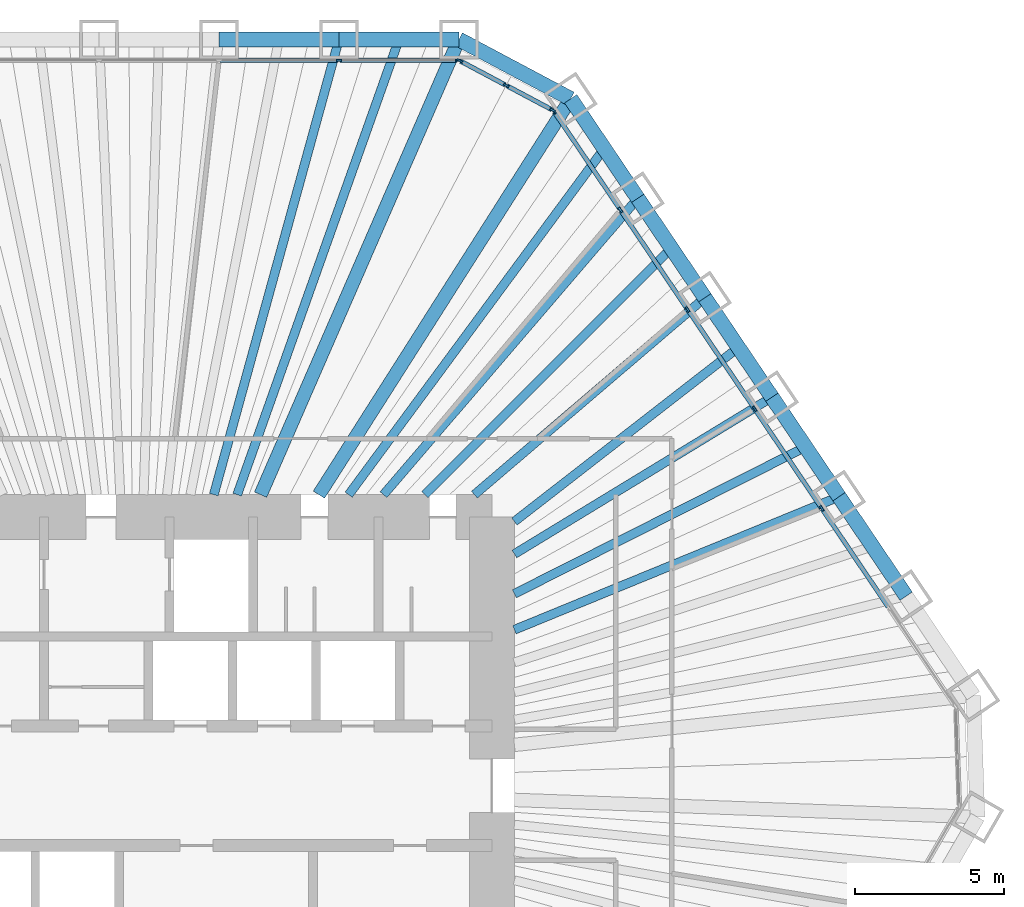
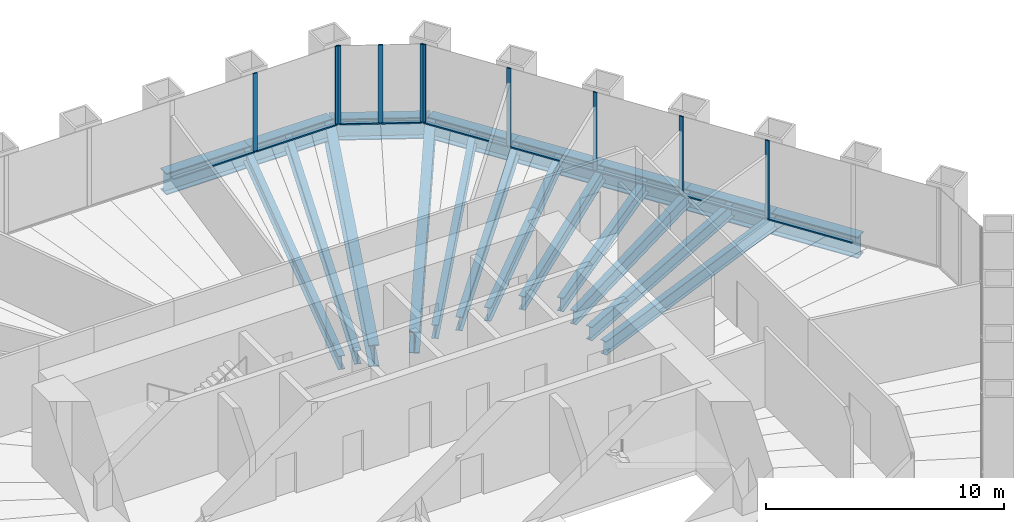
# One storey, part 7 of 13: 20 beams, 19 members, 3 elements without a shape of their own.
"""IFC4 building model written with IfcOpenShell, lengths in metres."""

from ifc_helpers import new_model, si_unit, direction, frame, origin, origin_2d, place, context, subcontext, project, spatial, rectangle, i_section, extrude, material, material_profile, profile_set, type_object, element, aggregate, save


model = new_model("IFC4")

# Units and contexts
model_context = context("Model", 3, precision=1e-05, world=origin(), true_north=direction((0.0, 1.0)))
body_context = subcontext(model_context, "Body", "Model", "MODEL_VIEW")
ifc_project = project(units=[si_unit("LENGTHUNIT", "METRE"), si_unit("AREAUNIT", "SQUARE_METRE"), si_unit("VOLUMEUNIT", "CUBIC_METRE"), si_unit("PLANEANGLEUNIT", "RADIAN"), si_unit("MASSUNIT", "GRAM", prefix="KILO")], contexts=[model_context])

# Site, building, storey
site_placement = place(None, origin())
site = spatial("IfcSite", under=ifc_project, at=site_placement, CompositionType="ELEMENT")
building_placement = place(site_placement, origin())
building = spatial("IfcBuilding", under=site, at=building_placement, Name="Qingtian Harvest Tower", CompositionType="ELEMENT")
storey_placement = place(building_placement, frame((0.0, 0.0, 149.199951171875)))
storey = spatial("IfcBuildingStorey", under=building, at=storey_placement, Name="L31", CompositionType="ELEMENT", Elevation=149.199951171875)

# Beams
ifc_material_1 = material(Name="Steel SM570MC", Category="steel")
ifc_material_profile_1 = material_profile(ifc_material_1, i_section(OverallWidth=0.449951171875, OverallDepth=1.10009765625, WebThickness=0.02197265625, FlangeThickness=0.044921875, at=origin_2d()), Name="H1100x450x22x45")
ifc_profile_set_1 = profile_set([ifc_material_profile_1], Name="Steel SM570MC")
beam_type_1 = type_object("IfcBeamType", Name="Corner floor beam FB8 H1100x450x22x45", PredefinedType="BEAM", material=ifc_profile_set_1)
beam_1_placement = place(storey_placement, frame((10.892822265625, 25.0, -0.719970703125), z_axis=(-0.399451016538, -0.916754539333, 0.0), x_axis=(0.916754539333, -0.399451016538, 0.0)))
element("IfcBeam", 1, at=beam_1_placement, inside=storey, type_object=beam_type_1, Name="Floor beam FB8 N6", PredefinedType="BEAM", context=body_context, shape_type="SweptSolid", body=[
    extrude(i_section(OverallWidth=0.449951171875, OverallDepth=1.10009765625, WebThickness=0.02197265625, FlangeThickness=0.044921875, at=origin_2d()), origin(), (0.0, 0.0, 1.0), 16.634765625),
])
beam_2_placement = place(storey_placement, frame((14.634765625, 23.01025390625, -0.719970703125), z_axis=(-0.536660352939, -0.843798355997, 0.0), x_axis=(0.843798355997, -0.536660352939, 0.0)))
element("IfcBeam", 2, at=beam_2_placement, inside=storey, type_object=beam_type_1, Name="Floor beam FB8 NE0", PredefinedType="BEAM", context=body_context, shape_type="SweptSolid", body=[
    extrude(i_section(OverallWidth=0.449951171875, OverallDepth=1.10009765625, WebThickness=0.02197265625, FlangeThickness=0.044921875, at=origin_2d()), origin(), (0.0, 0.0, 1.0), 15.71484375),
])
ifc_material_2 = material(Name="Steel SN490B", Category="steel")
ifc_material_profile_2 = material_profile(ifc_material_2, i_section(OverallWidth=0.300048828125, OverallDepth=0.699951171875, WebThickness=0.012939453125, FlangeThickness=0.02392578125, at=origin_2d()), Name="H700x300x13x24")
ifc_profile_set_2 = profile_set([ifc_material_profile_2], Name="Steel SN490B")
beam_type_2 = type_object("IfcBeamType", Name="Floor beam FB2 H700x300x13x24", PredefinedType="BEAM", material=ifc_profile_set_2)
beam_3_placement = place(storey_placement, frame((6.873779296875, 25.0, -0.52001953125), z_axis=(-0.265119170108, -0.964215653078, 0.0), x_axis=(0.964215653078, -0.265119170108, 0.0)))
element("IfcBeam", 3, at=beam_3_placement, inside=storey, type_object=beam_type_2, Name="Floor beam FB2 N5", PredefinedType="BEAM", context=body_context, shape_type="SweptSolid", body=[
    extrude(i_section(OverallWidth=0.300048828125, OverallDepth=0.699951171875, WebThickness=0.012939453125, FlangeThickness=0.02392578125, at=origin_2d()), origin(), (0.0, 0.0, 1.0), 15.81591796875),
])
beam_4_placement = place(storey_placement, frame((16.88232421875, 19.67822265625, -0.52001953125), z_axis=(-0.651140196702, -0.758957471957, 0.0), x_axis=(0.758957471957, -0.651140196702, 0.0)))
element("IfcBeam", 4, at=beam_4_placement, inside=storey, type_object=beam_type_2, Name="Floor beam FB2 NE1", PredefinedType="BEAM", context=body_context, shape_type="SweptSolid", body=[
    extrude(i_section(OverallWidth=0.300048828125, OverallDepth=0.699951171875, WebThickness=0.012939453125, FlangeThickness=0.02392578125, at=origin_2d()), origin(), (0.0, 0.0, 1.0), 13.081298828125),
])
beam_5_placement = place(storey_placement, frame((19.129638671875, 16.346435546875, -0.52001953125), z_axis=(-0.760241810635, -0.649640199928, 0.0), x_axis=(0.649640199928, -0.760241810635, 0.0)))
element("IfcBeam", 5, at=beam_5_placement, inside=storey, type_object=beam_type_2, Name="Floor beam FB2 NE2", PredefinedType="BEAM", context=body_context, shape_type="SweptSolid", body=[
    extrude(i_section(OverallWidth=0.300048828125, OverallDepth=0.699951171875, WebThickness=0.012939453125, FlangeThickness=0.02392578125, at=origin_2d()), origin(), (0.0, 0.0, 1.0), 10.154052734375),
])
beam_6_placement = place(storey_placement, frame((21.377197265625, 13.014404296875, -0.52001953125), z_axis=(-0.854160745245, -0.520009058846, 0.0), x_axis=(0.520009058846, -0.854160745245, 0.0)))
element("IfcBeam", 6, at=beam_6_placement, inside=storey, type_object=beam_type_2, Name="Floor beam FB2 NE3", PredefinedType="BEAM", context=body_context, shape_type="SweptSolid", body=[
    extrude(i_section(OverallWidth=0.300048828125, OverallDepth=0.699951171875, WebThickness=0.012939453125, FlangeThickness=0.02392578125, at=origin_2d()), origin(), (0.0, 0.0, 1.0), 10.10009765625),
])
beam_7_placement = place(storey_placement, frame((23.62451171875, 9.682373046875, -0.52001953125), z_axis=(-0.925304541163, -0.379224875375, 0.0), x_axis=(0.379224875375, -0.925304541163, 0.0)))
element("IfcBeam", 7, at=beam_7_placement, inside=storey, type_object=beam_type_2, Name="Floor beam FB2 NE4", PredefinedType="BEAM", context=body_context, shape_type="SweptSolid", body=[
    extrude(i_section(OverallWidth=0.300048828125, OverallDepth=0.699951171875, WebThickness=0.012939453125, FlangeThickness=0.02392578125, at=origin_2d()), origin(), (0.0, 0.0, 1.0), 11.75244140625),
])
ifc_material_3 = material(Name="Steel SN490B", Category="steel")
ifc_material_profile_3 = material_profile(ifc_material_3, i_section(OverallWidth=0.300048828125, OverallDepth=0.699951171875, WebThickness=0.012939453125, FlangeThickness=0.02392578125, at=origin_2d()), Name="H700x300x13x24")
ifc_profile_set_3 = profile_set([ifc_material_profile_3], Name="Steel SN490B")
beam_type_3 = type_object("IfcBeamType", Name="Floor joist J2 H700x300x13x24", PredefinedType="JOIST", material=ifc_profile_set_3)
beam_8_placement = place(storey_placement, frame((8.88330078125, 25.0, -0.52001953125), z_axis=(-0.334829909573, -0.94227858495, 0.0), x_axis=(0.94227858495, -0.334829909573, 0.0)))
element("IfcBeam", 8, at=beam_8_placement, inside=storey, type_object=beam_type_3, Name="Floor joist J2 N5", PredefinedType="JOIST", context=body_context, shape_type="SweptSolid", body=[
    extrude(i_section(OverallWidth=0.300048828125, OverallDepth=0.699951171875, WebThickness=0.012939453125, FlangeThickness=0.02392578125, at=origin_2d()), origin(), (0.0, 0.0, 1.0), 16.18408203125),
])
beam_9_placement = place(storey_placement, frame((15.758544921875, 21.34423828125, -0.52001953125), z_axis=(-0.593960386058, -0.804494288229, 0.0), x_axis=(0.804494288229, -0.593960386058, 0.0)))
element("IfcBeam", 9, at=beam_9_placement, inside=storey, type_object=beam_type_3, Name="Floor joist J2 NE0", PredefinedType="JOIST", context=body_context, shape_type="SweptSolid", body=[
    extrude(i_section(OverallWidth=0.300048828125, OverallDepth=0.699951171875, WebThickness=0.012939453125, FlangeThickness=0.02392578125, at=origin_2d()), origin(), (0.0, 0.0, 1.0), 14.411865234375),
])
beam_10_placement = place(storey_placement, frame((18.005859375, 18.012451171875, -0.52001953125), z_axis=(-0.706970932755, -0.707242603524, 0.0), x_axis=(0.707242603524, -0.706970932755, 0.0)))
element("IfcBeam", 10, at=beam_10_placement, inside=storey, type_object=beam_type_3, Name="Floor joist J2 NE1", PredefinedType="JOIST", context=body_context, shape_type="SweptSolid", body=[
    extrude(i_section(OverallWidth=0.300048828125, OverallDepth=0.699951171875, WebThickness=0.012939453125, FlangeThickness=0.02392578125, at=origin_2d()), origin(), (0.0, 0.0, 1.0), 11.6826171875),
])
beam_11_placement = place(storey_placement, frame((20.25341796875, 14.680419921875, -0.52001953125), z_axis=(-0.789641272199, -0.61356879096, 0.0), x_axis=(0.61356879096, -0.789641272199, 0.0)))
element("IfcBeam", 11, at=beam_11_placement, inside=storey, type_object=beam_type_3, Name="Floor joist J2 NE2", PredefinedType="JOIST", context=body_context, shape_type="SweptSolid", body=[
    extrude(i_section(OverallWidth=0.300048828125, OverallDepth=0.699951171875, WebThickness=0.012939453125, FlangeThickness=0.02392578125, at=origin_2d()), origin(), (0.0, 0.0, 1.0), 9.502197265625),
])
beam_12_placement = place(storey_placement, frame((22.500732421875, 11.348388671875, -0.52001953125), z_axis=(-0.892861323685, -0.450331718478, 0.0), x_axis=(0.450331718478, -0.892861323685, 0.0)))
element("IfcBeam", 12, at=beam_12_placement, inside=storey, type_object=beam_type_3, Name="Floor joist J2 NE3", PredefinedType="JOIST", context=body_context, shape_type="SweptSolid", body=[
    extrude(i_section(OverallWidth=0.300048828125, OverallDepth=0.699951171875, WebThickness=0.012939453125, FlangeThickness=0.02392578125, at=origin_2d()), origin(), (0.0, 0.0, 1.0), 10.920654296875),
])

# Curtain wall, members
ifc_material_4 = material(Name="Bronze-anodised aluminium curtain wall", Category="aluminium")
curtain_wall_type = type_object("IfcCurtainWallType", Name="Curtain wall CW4 office", PredefinedType="USERDEFINED", material=ifc_material_4)
curtain_wall_1_placement = place(storey_placement, origin())
curtain_wall_1 = element("IfcCurtainWall", 13, at=curtain_wall_1_placement, inside=storey, type_object=curtain_wall_type, Name="Curtain wall CW4 L31 N0-5", ObjectType="RECESSED CURTAIN WALL", PredefinedType="USERDEFINED")
ifc_material_5 = material(Name="Bronze-anodised aluminium mullion", Category="aluminium")
ifc_material_profile_4 = material_profile(ifc_material_5, rectangle(XDim=0.06494140625, YDim=0.199951171875, at=origin_2d()), Name="AL 65x200")
ifc_profile_set_4 = profile_set([ifc_material_profile_4], Name="Bronze-anodised aluminium mullion")
member_type_1 = type_object("IfcMemberType", Name="Mullion CWM 65x200", PredefinedType="MULLION", material=ifc_profile_set_4)
member_1_placement = place(storey_placement, frame((6.873779296875, 24.300048828125, 0.0), z_axis=(0.0, 0.0, 1.0), x_axis=(0.0, 1.0, 0.0)))
member_1 = element("IfcMember", 14, at=member_1_placement, type_object=member_type_1, Name="CW4 mullion 6", PredefinedType="MULLION", context=body_context, shape_type="SweptSolid", body=[
    extrude(rectangle(XDim=0.06494140625, YDim=0.199951171875, at=origin_2d()), origin(), (0.0, 0.0, 1.0), 4.030029296875),
])
member_2_placement = place(storey_placement, frame((10.8603515625, 24.300048828125, 0.0), z_axis=(0.0, 0.0, 1.0), x_axis=(0.0, 1.0, 0.0)))
member_2 = element("IfcMember", 15, at=member_2_placement, type_object=member_type_1, Name="CW4 mullion 7", PredefinedType="MULLION", context=body_context, shape_type="SweptSolid", body=[
    extrude(rectangle(XDim=0.06494140625, YDim=0.199951171875, at=origin_2d()), origin(), (0.0, 0.0, 1.0), 4.030029296875),
])

curtain_wall_2_placement = place(storey_placement, origin())
curtain_wall_2 = element("IfcCurtainWall", 16, at=curtain_wall_2_placement, inside=storey, type_object=curtain_wall_type, Name="Curtain wall CW4 L31 NC", ObjectType="RECESSED CURTAIN WALL", PredefinedType="USERDEFINED")
member_3_placement = place(storey_placement, frame((10.92138671875, 24.28466796875, 0.0), z_axis=(0.0, 0.0, 1.0), x_axis=(0.469471562786, 0.882947592859, 0.0)))
member_3 = element("IfcMember", 17, at=member_3_placement, type_object=member_type_1, Name="CW4 mullion 1", PredefinedType="MULLION", context=body_context, shape_type="SweptSolid", body=[
    extrude(rectangle(XDim=0.06494140625, YDim=0.199951171875, at=origin_2d()), origin(), (0.0, 0.0, 1.0), 4.030029296875),
])
member_4_placement = place(storey_placement, frame((12.4736328125, 23.45947265625, 0.0), z_axis=(0.0, 0.0, 1.0), x_axis=(0.469471562786, 0.882947592859, 0.0)))
member_4 = element("IfcMember", 18, at=member_4_placement, type_object=member_type_1, Name="CW4 mullion 2", PredefinedType="MULLION", context=body_context, shape_type="SweptSolid", body=[
    extrude(rectangle(XDim=0.06494140625, YDim=0.199951171875, at=origin_2d()), origin(), (0.0, 0.0, 1.0), 4.030029296875),
])
member_5_placement = place(storey_placement, frame((14.02587890625, 22.634033203125, 0.0), z_axis=(0.0, 0.0, 1.0), x_axis=(0.469471562786, 0.882947592859, 0.0)))
member_5 = element("IfcMember", 19, at=member_5_placement, type_object=member_type_1, Name="CW4 mullion 3", PredefinedType="MULLION", context=body_context, shape_type="SweptSolid", body=[
    extrude(rectangle(XDim=0.06494140625, YDim=0.199951171875, at=origin_2d()), origin(), (0.0, 0.0, 1.0), 4.030029296875),
])

curtain_wall_3_placement = place(storey_placement, origin())
curtain_wall_3 = element("IfcCurtainWall", 20, at=curtain_wall_3_placement, inside=storey, type_object=curtain_wall_type, Name="Curtain wall CW4 L31 NE0-5", ObjectType="RECESSED CURTAIN WALL", PredefinedType="USERDEFINED")
member_6_placement = place(storey_placement, frame((14.07275390625, 22.592041015625, 0.0), z_axis=(0.0, 0.0, 1.0), x_axis=(0.829037572555, 0.559192903471, 0.0)))
member_6 = element("IfcMember", 21, at=member_6_placement, type_object=member_type_1, Name="CW4 mullion 1", PredefinedType="MULLION", context=body_context, shape_type="SweptSolid", body=[
    extrude(rectangle(XDim=0.06494140625, YDim=0.199951171875, at=origin_2d()), origin(), (0.0, 0.0, 1.0), 4.030029296875),
])
member_7_placement = place(storey_placement, frame((16.302001953125, 19.286865234375, 0.0), z_axis=(0.0, 0.0, 1.0), x_axis=(0.829037572555, 0.559192903471, 0.0)))
member_7 = element("IfcMember", 22, at=member_7_placement, type_object=member_type_1, Name="CW4 mullion 2", PredefinedType="MULLION", context=body_context, shape_type="SweptSolid", body=[
    extrude(rectangle(XDim=0.06494140625, YDim=0.199951171875, at=origin_2d()), origin(), (0.0, 0.0, 1.0), 4.030029296875),
])
member_8_placement = place(storey_placement, frame((18.54931640625, 15.954833984375, 0.0), z_axis=(0.0, 0.0, 1.0), x_axis=(0.829037572555, 0.559192903471, 0.0)))
member_8 = element("IfcMember", 23, at=member_8_placement, type_object=member_type_1, Name="CW4 mullion 3", PredefinedType="MULLION", context=body_context, shape_type="SweptSolid", body=[
    extrude(rectangle(XDim=0.06494140625, YDim=0.199951171875, at=origin_2d()), origin(), (0.0, 0.0, 1.0), 4.030029296875),
])
member_9_placement = place(storey_placement, frame((20.796875, 12.623046875, 0.0), z_axis=(0.0, 0.0, 1.0), x_axis=(0.829037572555, 0.559192903471, 0.0)))
member_9 = element("IfcMember", 24, at=member_9_placement, type_object=member_type_1, Name="CW4 mullion 4", PredefinedType="MULLION", context=body_context, shape_type="SweptSolid", body=[
    extrude(rectangle(XDim=0.06494140625, YDim=0.199951171875, at=origin_2d()), origin(), (0.0, 0.0, 1.0), 4.030029296875),
])
member_10_placement = place(storey_placement, frame((23.044189453125, 9.291015625, 0.0), z_axis=(0.0, 0.0, 1.0), x_axis=(0.829037572555, 0.559192903471, 0.0)))
member_10 = element("IfcMember", 25, at=member_10_placement, type_object=member_type_1, Name="CW4 mullion 5", PredefinedType="MULLION", context=body_context, shape_type="SweptSolid", body=[
    extrude(rectangle(XDim=0.06494140625, YDim=0.199951171875, at=origin_2d()), origin(), (0.0, 0.0, 1.0), 4.030029296875),
])

# Beams
ifc_material_6 = material(Name="Steel SM570MC", Category="steel")
ifc_material_profile_5 = material_profile(ifc_material_6, i_section(OverallWidth=0.5, OverallDepth=1.10009765625, WebThickness=0.02490234375, FlangeThickness=0.050048828125, at=origin_2d()), Name="H1100x500x25x50")
ifc_profile_set_5 = profile_set([ifc_material_profile_5], Name="Steel SM570MC")
beam_type_4 = type_object("IfcBeamType", Name="Spandrel beam SB2 H1100x500x25x50", PredefinedType="SPANDREL", material=ifc_profile_set_5)
beam_13_placement = place(storey_placement, frame((2.8544921875, 25.0, -0.550048828125), z_axis=(1.0, 0.0, 0.0), x_axis=(0.0, 1.0, 0.0)))
element("IfcBeam", 26, at=beam_13_placement, inside=storey, type_object=beam_type_4, Name="Spandrel SB2 N4", PredefinedType="SPANDREL", context=body_context, shape_type="SweptSolid", body=[
    extrude(i_section(OverallWidth=0.5, OverallDepth=1.10009765625, WebThickness=0.02490234375, FlangeThickness=0.050048828125, at=origin_2d()), origin(), (0.0, 0.0, 1.0), 4.019287109375),
])
beam_14_placement = place(storey_placement, frame((6.873779296875, 25.0, -0.550048828125), z_axis=(1.0, 0.0, 0.0), x_axis=(0.0, 1.0, 0.0)))
element("IfcBeam", 27, at=beam_14_placement, inside=storey, type_object=beam_type_4, Name="Spandrel SB2 N5", PredefinedType="SPANDREL", context=body_context, shape_type="SweptSolid", body=[
    extrude(i_section(OverallWidth=0.5, OverallDepth=1.10009765625, WebThickness=0.02490234375, FlangeThickness=0.050048828125, at=origin_2d()), origin(), (0.0, 0.0, 1.0), 4.01904296875),
])
beam_15_placement = place(storey_placement, frame((10.892822265625, 25.0, -0.550048828125), z_axis=(0.882935902835, -0.469493547863, 0.0), x_axis=(0.469493547863, 0.882935902835, 0.0)))
element("IfcBeam", 28, at=beam_15_placement, inside=storey, type_object=beam_type_4, Name="Spandrel SB2 NC", PredefinedType="SPANDREL", context=body_context, shape_type="SweptSolid", body=[
    extrude(i_section(OverallWidth=0.5, OverallDepth=1.10009765625, WebThickness=0.02490234375, FlangeThickness=0.050048828125, at=origin_2d()), origin(), (0.0, 0.0, 1.0), 4.238037109375),
])
beam_16_placement = place(storey_placement, frame((14.634765625, 23.01025390625, -0.550048828125), z_axis=(0.559205752254, -0.829028905796, 0.0), x_axis=(0.829028905796, 0.559205752254, 0.0)))
element("IfcBeam", 29, at=beam_16_placement, inside=storey, type_object=beam_type_4, Name="Spandrel SB2 NE0", PredefinedType="SPANDREL", context=body_context, shape_type="SweptSolid", body=[
    extrude(i_section(OverallWidth=0.5, OverallDepth=1.10009765625, WebThickness=0.02490234375, FlangeThickness=0.050048828125, at=origin_2d()), origin(), (0.0, 0.0, 1.0), 4.019287109375),
])
beam_17_placement = place(storey_placement, frame((16.88232421875, 19.67822265625, -0.550048828125), z_axis=(0.55919216322, -0.82903807186, 0.0), x_axis=(0.82903807186, 0.55919216322, 0.0)))
element("IfcBeam", 30, at=beam_17_placement, inside=storey, type_object=beam_type_4, Name="Spandrel SB2 NE1", PredefinedType="SPANDREL", context=body_context, shape_type="SweptSolid", body=[
    extrude(i_section(OverallWidth=0.5, OverallDepth=1.10009765625, WebThickness=0.02490234375, FlangeThickness=0.050048828125, at=origin_2d()), origin(), (0.0, 0.0, 1.0), 4.018798828125),
])
beam_18_placement = place(storey_placement, frame((19.129638671875, 16.346435546875, -0.550048828125), z_axis=(0.559205752254, -0.829028905796, 0.0), x_axis=(0.829028905796, 0.559205752254, 0.0)))
element("IfcBeam", 31, at=beam_18_placement, inside=storey, type_object=beam_type_4, Name="Spandrel SB2 NE2", PredefinedType="SPANDREL", context=body_context, shape_type="SweptSolid", body=[
    extrude(i_section(OverallWidth=0.5, OverallDepth=1.10009765625, WebThickness=0.02490234375, FlangeThickness=0.050048828125, at=origin_2d()), origin(), (0.0, 0.0, 1.0), 4.019287109375),
])
for number, where, z_axis, x_axis, name in (
    (32, (21.377197265625, 13.014404296875, -0.550048828125), (0.55916400171, -0.829057066306, 0.0), (0.829057066306, 0.55916400171, 0.0), "Spandrel SB2 NE3"),
    (33, (23.62451171875, 9.682373046875, -0.550048828125), (0.559233913953, -0.829009909159, 0.0), (0.829009909159, 0.559233913953, 0.0), "Spandrel SB2 NE4"),
):
    element("IfcBeam", number, at=place(storey_placement, frame(where, z_axis=z_axis, x_axis=x_axis)), inside=storey, type_object=beam_type_4, Name=name, PredefinedType="SPANDREL", context=body_context, shape_type="SweptSolid", body=[
        extrude(i_section(OverallWidth=0.5, OverallDepth=1.10009765625, WebThickness=0.02490234375, FlangeThickness=0.050048828125, at=origin_2d()), origin(), (0.0, 0.0, 1.0), 4.01904296875),
    ])

# Member
ifc_material_7 = material(Name="Bronze-anodised aluminium transom", Category="aluminium")
ifc_material_profile_6 = material_profile(ifc_material_7, rectangle(XDim=0.14990234375, YDim=0.06494140625, at=origin_2d()), Name="AL 65x150")
ifc_profile_set_6 = profile_set([ifc_material_profile_6], Name="Bronze-anodised aluminium transom")
member_type_2 = type_object("IfcMemberType", Name="Transom CWT 65x150", PredefinedType="USERDEFINED", material=ifc_profile_set_6)
member_11_placement = place(storey_placement, frame((2.886962890625, 24.300048828125, 0.032470703125), z_axis=(1.0, 0.0, 0.0), x_axis=(0.0, 1.0, 0.0)))
member_11 = element("IfcMember", 34, at=member_11_placement, type_object=member_type_2, Name="CW4 transom 5.1", ObjectType="TRANSOM", PredefinedType="USERDEFINED", context=body_context, shape_type="SweptSolid", body=[
    extrude(rectangle(XDim=0.14990234375, YDim=0.06494140625, at=origin_2d()), origin(), (0.0, 0.0, 1.0), 3.9541015625),
])

member_12_placement = place(storey_placement, frame((6.90625, 24.300048828125, 0.032470703125), z_axis=(1.0, 0.0, 0.0), x_axis=(0.0, 1.0, 0.0)))
member_12 = element("IfcMember", 35, at=member_12_placement, type_object=member_type_2, Name="CW4 transom 6.1", ObjectType="TRANSOM", PredefinedType="USERDEFINED", context=body_context, shape_type="SweptSolid", body=[
    extrude(rectangle(XDim=0.14990234375, YDim=0.06494140625, at=origin_2d()), origin(), (0.0, 0.0, 1.0), 3.92138671875),
])

aggregate(curtain_wall_1, [member_1, member_2, member_11, member_12])

member_13_placement = place(storey_placement, frame((10.9501953125, 24.26953125, 0.032470703125), z_axis=(0.882895287784, -0.469569921108, 0.0), x_axis=(0.469569921108, 0.882895287784, 0.0)))
member_13 = element("IfcMember", 36, at=member_13_placement, type_object=member_type_2, Name="CW4 transom 1.1", ObjectType="TRANSOM", PredefinedType="USERDEFINED", context=body_context, shape_type="SweptSolid", body=[
    extrude(rectangle(XDim=0.14990234375, YDim=0.06494140625, at=origin_2d()), origin(), (0.0, 0.0, 1.0), 1.69287109375),
])

member_14_placement = place(storey_placement, frame((12.502197265625, 23.444091796875, 0.032470703125), z_axis=(0.882986854304, -0.469397715297, 0.0), x_axis=(0.469397715297, 0.882986854304, 0.0)))
member_14 = element("IfcMember", 37, at=member_14_placement, type_object=member_type_2, Name="CW4 transom 2.1", ObjectType="TRANSOM", PredefinedType="USERDEFINED", context=body_context, shape_type="SweptSolid", body=[
    extrude(rectangle(XDim=0.14990234375, YDim=0.06494140625, at=origin_2d()), origin(), (0.0, 0.0, 1.0), 1.69287109375),
])

aggregate(curtain_wall_2, [member_3, member_4, member_5, member_13, member_14])

member_15_placement = place(storey_placement, frame((14.0908203125, 22.56494140625, 0.032470703125), z_axis=(0.55920336949, -0.82903051304, 0.0), x_axis=(0.82903051304, 0.55920336949, 0.0)))
member_15 = element("IfcMember", 38, at=member_15_placement, type_object=member_type_2, Name="CW4 transom 1.1", ObjectType="TRANSOM", PredefinedType="USERDEFINED", context=body_context, shape_type="SweptSolid", body=[
    extrude(rectangle(XDim=0.14990234375, YDim=0.06494140625, at=origin_2d()), origin(), (0.0, 0.0, 1.0), 3.92138671875),
])

member_16_placement = place(storey_placement, frame((16.320068359375, 19.260009765625, 0.032470703125), z_axis=(0.55920878069, -0.829026863014, 0.0), x_axis=(0.829026863014, 0.55920878069, 0.0)))
member_16 = element("IfcMember", 39, at=member_16_placement, type_object=member_type_2, Name="CW4 transom 2.1", ObjectType="TRANSOM", PredefinedType="USERDEFINED", context=body_context, shape_type="SweptSolid", body=[
    extrude(rectangle(XDim=0.14990234375, YDim=0.06494140625, at=origin_2d()), origin(), (0.0, 0.0, 1.0), 3.9541015625),
])

member_17_placement = place(storey_placement, frame((18.567626953125, 15.927978515625, 0.032470703125), z_axis=(0.559166343236, -0.82905548704, 0.0), x_axis=(0.82905548704, 0.559166343236, 0.0)))
member_17 = element("IfcMember", 40, at=member_17_placement, type_object=member_type_2, Name="CW4 transom 3.1", ObjectType="TRANSOM", PredefinedType="USERDEFINED", context=body_context, shape_type="SweptSolid", body=[
    extrude(rectangle(XDim=0.14990234375, YDim=0.06494140625, at=origin_2d()), origin(), (0.0, 0.0, 1.0), 3.9541015625),
])

member_18_placement = place(storey_placement, frame((20.81494140625, 12.595947265625, 0.032470703125), z_axis=(0.55920878069, -0.829026863014, 0.0), x_axis=(0.829026863014, 0.55920878069, 0.0)))
member_18 = element("IfcMember", 41, at=member_18_placement, type_object=member_type_2, Name="CW4 transom 4.1", ObjectType="TRANSOM", PredefinedType="USERDEFINED", context=body_context, shape_type="SweptSolid", body=[
    extrude(rectangle(XDim=0.14990234375, YDim=0.06494140625, at=origin_2d()), origin(), (0.0, 0.0, 1.0), 3.9541015625),
])

member_19_placement = place(storey_placement, frame((23.0625, 9.26416015625, 0.032470703125), z_axis=(0.559166343236, -0.82905548704, 0.0), x_axis=(0.82905548704, 0.559166343236, 0.0)))
member_19 = element("IfcMember", 42, at=member_19_placement, type_object=member_type_2, Name="CW4 transom 5.1", ObjectType="TRANSOM", PredefinedType="USERDEFINED", context=body_context, shape_type="SweptSolid", body=[
    extrude(rectangle(XDim=0.14990234375, YDim=0.06494140625, at=origin_2d()), origin(), (0.0, 0.0, 1.0), 3.9541015625),
])

aggregate(curtain_wall_3, [member_6, member_7, member_8, member_9, member_10, member_15, member_16, member_17, member_18, member_19])

save(model, "model.ifc")
